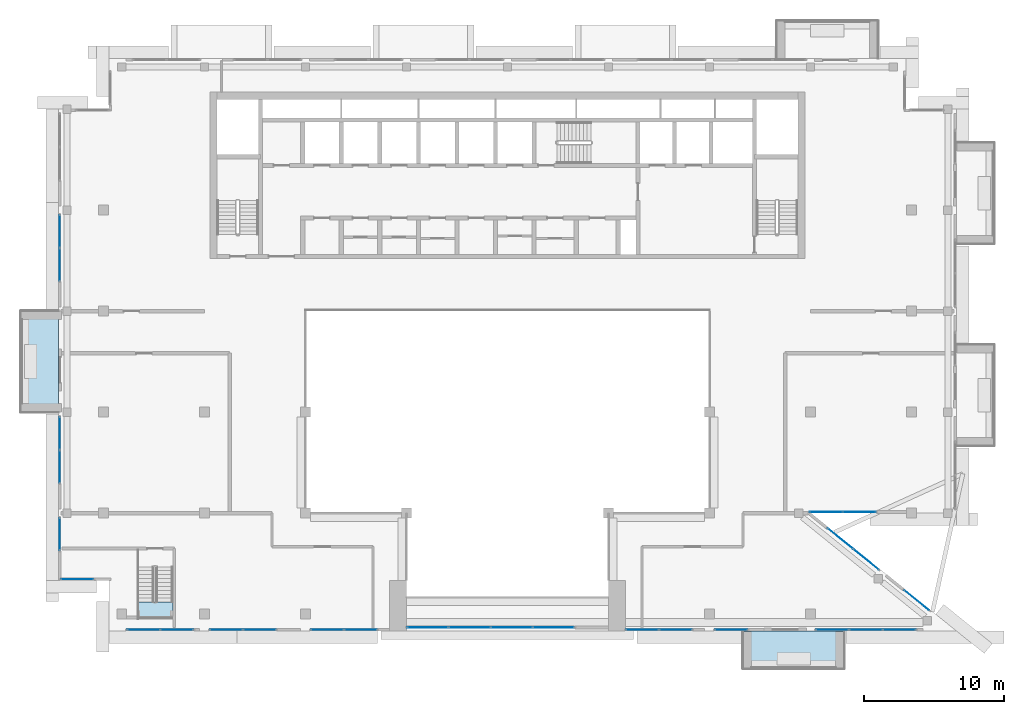
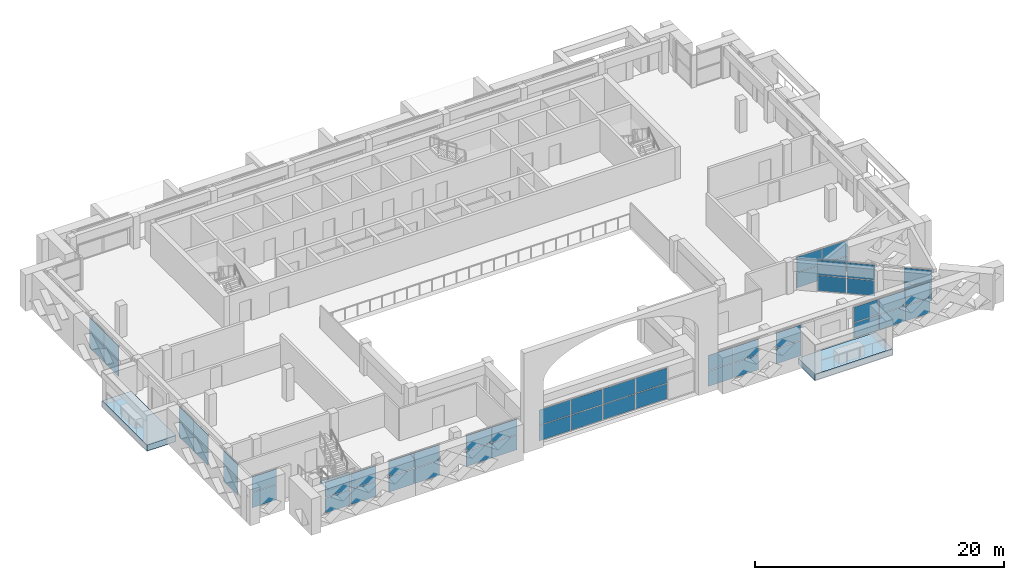
# One storey, part 10 of 22: 54 plates, 3 slabs, 15 elements without a shape of their own.
"""IFC4 building model written with IfcOpenShell, lengths in metres."""

from ifc_helpers import new_model, si_unit, direction, frame, origin, origin_2d, place, context, subcontext, project, spatial, polyline, rectangle, outline, extrude, source, transform, mapped, material, layer, layer_set, type_object, element, aggregate, save


model = new_model("IFC4")

# Units and contexts
model_context = context("Model", 3, precision=1e-05, world=origin(), true_north=direction((0.0, 1.0)))
body_context = subcontext(model_context, "Body", "Model", "MODEL_VIEW")
ifc_project = project(units=[si_unit("LENGTHUNIT", "METRE"), si_unit("AREAUNIT", "SQUARE_METRE"), si_unit("VOLUMEUNIT", "CUBIC_METRE"), si_unit("PLANEANGLEUNIT", "RADIAN"), si_unit("MASSUNIT", "GRAM", prefix="KILO")], contexts=[model_context])

# Site, building, storey
site_placement = place(None, origin())
site = spatial("IfcSite", under=ifc_project, at=site_placement, CompositionType="ELEMENT")
building_placement = place(site_placement, origin())
building = spatial("IfcBuilding", under=site, at=building_placement, Name="Saffron Iwan Residences", CompositionType="ELEMENT")
storey_placement = place(building_placement, frame((0.0, 0.0, 271.0)))
storey = spatial("IfcBuildingStorey", under=building, at=storey_placement, Name="L73", CompositionType="ELEMENT", Elevation=271.0)

# Slabs
ifc_material_1 = material(Name="Concrete C50/60 white painted", Category="concrete")
ifc_layer_1 = layer(ifc_material_1, 0.60009765625)
ifc_layer_set_1 = layer_set([ifc_layer_1], Name="Concrete C50/60 white painted")
slab_type_1 = type_object("IfcSlabType", Name="BALCONY FRAME SLAB 600", PredefinedType="FLOOR", material=ifc_layer_set_1)
slab_1_placement = place(storey_placement, frame((0.0, 0.0, -0.60009765625)))
element("IfcSlab", 1, at=slab_1_placement, inside=storey, type_object=slab_type_1, Name="Balcony frame slab L73 F8-0", PredefinedType="FLOOR", context=body_context, shape_type="SweptSolid", body=[
    extrude(outline(polyline([(15.699951171875, 62.39990234375), (15.699951171875, 55.199951171875), (18.39990234375, 55.199951171875), (18.39990234375, 62.39990234375), (15.699951171875, 62.39990234375)])), origin(), (0.0, 0.0, 1.0), 0.60009765625),
])
slab_2_placement = place(storey_placement, frame((0.0, 0.0, -0.60009765625)))
element("IfcSlab", 2, at=slab_2_placement, inside=storey, type_object=slab_type_1, Name="Balcony frame slab L73 11-1", PredefinedType="FLOOR", context=body_context, shape_type="SweptSolid", body=[
    extrude(outline(polyline([(67.199951171875, 36.89990234375), (74.39990234375, 36.89990234375), (74.39990234375, 39.60009765625), (67.199951171875, 39.60009765625), (67.199951171875, 36.89990234375)])), origin(), (0.0, 0.0, 1.0), 0.60009765625),
])

# Stair, slab
ifc_material_2 = material(Name="Concrete C40/50", Category="concrete")
stair_type = type_object("IfcStairType", Name="Podium stair, reinforced concrete", PredefinedType="HALF_TURN_STAIR", material=ifc_material_2)
stair_placement = place(storey_placement, origin())
stair = element("IfcStair", 3, at=stair_placement, inside=storey, type_object=stair_type, Name="L73 Crown Stair", PredefinedType="HALF_TURN_STAIR")
ifc_layer_2 = layer(ifc_material_2, 0.199951171875)
ifc_layer_set_2 = layer_set([ifc_layer_2], Name="Concrete C40/50")
slab_type_2 = type_object("IfcSlabType", Name="Podium stair landing, reinforced concrete", PredefinedType="LANDING", material=ifc_layer_set_2)
slab_3_placement = place(storey_placement, frame((0.0, 0.0, 1.5498046875)))
slab_3 = element("IfcSlab", 4, at=slab_3_placement, type_object=slab_type_2, Name="CS landing 1", PredefinedType="LANDING", context=body_context, shape_type="SweptSolid", body=[
    extrude(outline(polyline([(24.0, 41.64990234375), (24.0, 40.449951171875), (26.550048828125, 40.449951171875), (26.550048828125, 41.64990234375), (24.0, 41.64990234375)])), origin(), (0.0, 0.0, 1.0), 0.2001953125),
])
aggregate(stair, [slab_3])

# Curtain wall, plates
ifc_material_3 = material(Name="Clear glass, laminated double glazed", Category="glass")
ifc_layer_3 = layer(ifc_material_3, 0.199951171875)
ifc_layer_set_3 = layer_set([ifc_layer_3], Name="Clear glass, laminated double glazed")
curtain_wall_type_1 = type_object("IfcCurtainWallType", Name="CW-B IWAN PORTAL", PredefinedType="NOTDEFINED", material=ifc_layer_set_3)
curtain_wall_1_placement = place(storey_placement, origin())
curtain_wall_1 = element("IfcCurtainWall", 5, at=curtain_wall_1_placement, inside=storey, type_object=curtain_wall_type_1, Name="Iwan portal glazing L73.1", PredefinedType="NOTDEFINED")
ifc_layer_4 = layer(ifc_material_3, 0.028076171875)
ifc_layer_set_4 = layer_set([ifc_layer_4], Name="Clear glass, laminated double glazed")
plate_type_1 = type_object("IfcPlateType", Name="CW-B PANEL 28", PredefinedType="CURTAIN_PANEL", material=ifc_layer_set_4)
shared_shape_1 = source(origin(), body_context, "Body", "SweptSolid", [
    extrude(rectangle(XDim=2.909912109375, YDim=0.028076171875, at=origin_2d()), origin(), (0.0, 0.0, 1.0), 1.485107421875),
])
plate_1_placement = place(storey_placement, frame((44.715087890625, 39.85009765625, 0.06005859375), z_axis=(0.0, 0.0, 1.0), x_axis=(1.0, 0.0, 0.0)))
plate_1 = element("IfcPlate", 6, at=plate_1_placement, type_object=plate_type_1, Name="CW-B panel 1.1", PredefinedType="CURTAIN_PANEL", context=body_context, shape_type="MappedRepresentation", body=[
    mapped(shared_shape_1, transform((0.0, 0.0, 0.0))),
])
plate_2_placement = place(storey_placement, frame((44.715087890625, 39.85009765625, 1.60498046875), z_axis=(0.0, 0.0, 1.0), x_axis=(1.0, 0.0, 0.0)))
plate_2 = element("IfcPlate", 7, at=plate_2_placement, type_object=plate_type_1, Name="CW-B panel 1.2", PredefinedType="CURTAIN_PANEL", context=body_context, shape_type="MappedRepresentation", body=[
    mapped(shared_shape_1, transform((0.0, 0.0, 0.0))),
])
plate_3_placement = place(storey_placement, frame((53.68505859375, 39.85009765625, 0.06005859375), z_axis=(0.0, 0.0, 1.0), x_axis=(1.0, 0.0, 0.0)))
plate_3 = element("IfcPlate", 8, at=plate_3_placement, type_object=plate_type_1, Name="CW-B panel 4.1", PredefinedType="CURTAIN_PANEL", context=body_context, shape_type="MappedRepresentation", body=[
    mapped(shared_shape_1, transform((0.0, 0.0, 0.0))),
])
plate_4_placement = place(storey_placement, frame((53.68505859375, 39.85009765625, 1.60498046875), z_axis=(0.0, 0.0, 1.0), x_axis=(1.0, 0.0, 0.0)))
plate_4 = element("IfcPlate", 9, at=plate_4_placement, type_object=plate_type_1, Name="CW-B panel 4.2", PredefinedType="CURTAIN_PANEL", context=body_context, shape_type="MappedRepresentation", body=[
    mapped(shared_shape_1, transform((0.0, 0.0, 0.0))),
])
shared_shape_2 = source(origin(), body_context, "Body", "SweptSolid", [
    extrude(rectangle(XDim=2.93994140625, YDim=0.028076171875, at=origin_2d()), origin(), (0.0, 0.0, 1.0), 1.485107421875),
])
plate_5_placement = place(storey_placement, frame((47.699951171875, 39.85009765625, 0.06005859375), z_axis=(0.0, 0.0, 1.0), x_axis=(1.0, 0.0, 0.0)))
plate_5 = element("IfcPlate", 10, at=plate_5_placement, type_object=plate_type_1, Name="CW-B panel 2.1", PredefinedType="CURTAIN_PANEL", context=body_context, shape_type="MappedRepresentation", body=[
    mapped(shared_shape_2, transform((0.0, 0.0, 0.0))),
])
plate_6_placement = place(storey_placement, frame((47.699951171875, 39.85009765625, 1.60498046875), z_axis=(0.0, 0.0, 1.0), x_axis=(1.0, 0.0, 0.0)))
plate_6 = element("IfcPlate", 11, at=plate_6_placement, type_object=plate_type_1, Name="CW-B panel 2.2", PredefinedType="CURTAIN_PANEL", context=body_context, shape_type="MappedRepresentation", body=[
    mapped(shared_shape_2, transform((0.0, 0.0, 0.0))),
])
plate_7_placement = place(storey_placement, frame((50.699951171875, 39.85009765625, 0.06005859375), z_axis=(0.0, 0.0, 1.0), x_axis=(1.0, 0.0, 0.0)))
plate_7 = element("IfcPlate", 12, at=plate_7_placement, type_object=plate_type_1, Name="CW-B panel 3.1", PredefinedType="CURTAIN_PANEL", context=body_context, shape_type="MappedRepresentation", body=[
    mapped(shared_shape_2, transform((0.0, 0.0, 0.0))),
])
plate_8_placement = place(storey_placement, frame((50.699951171875, 39.85009765625, 1.60498046875), z_axis=(0.0, 0.0, 1.0), x_axis=(1.0, 0.0, 0.0)))
plate_8 = element("IfcPlate", 13, at=plate_8_placement, type_object=plate_type_1, Name="CW-B panel 3.2", PredefinedType="CURTAIN_PANEL", context=body_context, shape_type="MappedRepresentation", body=[
    mapped(shared_shape_2, transform((0.0, 0.0, 0.0))),
])
aggregate(curtain_wall_1, [plate_1, plate_2, plate_5, plate_6, plate_7, plate_8, plate_3, plate_4])

ifc_layer_5 = layer(ifc_material_3, 0.14990234375)
ifc_layer_set_5 = layer_set([ifc_layer_5], Name="Clear glass, laminated double glazed")
curtain_wall_type_2 = type_object("IfcCurtainWallType", Name="CW-E SKY CLUB GLAZING", PredefinedType="NOTDEFINED", material=ifc_layer_set_5)
curtain_wall_2_placement = place(storey_placement, origin())
curtain_wall_2 = element("IfcCurtainWall", 14, at=curtain_wall_2_placement, inside=storey, type_object=curtain_wall_type_2, Name="Glazing L73 F0.1", PredefinedType="NOTDEFINED")
ifc_layer_6 = layer(ifc_material_3, 0.028076171875)
ifc_layer_set_6 = layer_set([ifc_layer_6], Name="Clear glass, laminated double glazed")
plate_type_2 = type_object("IfcPlateType", Name="CW-E PANEL 28", PredefinedType="CURTAIN_PANEL", material=ifc_layer_set_6)
shared_shape_3 = source(origin(), body_context, "Body", "SweptSolid", [
    extrude(rectangle(XDim=2.280029296875, YDim=0.028076171875, at=origin_2d()), origin(), (0.0, 0.0, 1.0), 1.485107421875),
])
plate_9_placement = place(storey_placement, frame((79.569091796875, 41.78369140625, 0.06005859375), z_axis=(0.0, 0.0, 1.0), x_axis=(-0.777941180125, 0.628337107185, 0.0)))
plate_9 = element("IfcPlate", 15, at=plate_9_placement, type_object=plate_type_2, Name="CW-E panel 1.1", PredefinedType="CURTAIN_PANEL", context=body_context, shape_type="MappedRepresentation", body=[
    mapped(shared_shape_3, transform((0.0, 0.0, 0.0))),
])
plate_10_placement = place(storey_placement, frame((79.569091796875, 41.78369140625, 1.60498046875), z_axis=(0.0, 0.0, 1.0), x_axis=(-0.777941180125, 0.628337107185, 0.0)))
plate_10 = element("IfcPlate", 16, at=plate_10_placement, type_object=plate_type_2, Name="CW-E panel 1.2", PredefinedType="CURTAIN_PANEL", context=body_context, shape_type="MappedRepresentation", body=[
    mapped(shared_shape_3, transform((0.0, 0.0, 0.0))),
])
aggregate(curtain_wall_2, [plate_9, plate_10])

curtain_wall_3_placement = place(storey_placement, origin())
curtain_wall_3 = element("IfcCurtainWall", 17, at=curtain_wall_3_placement, inside=storey, type_object=curtain_wall_type_2, Name="Glazing L73 F8.4", PredefinedType="NOTDEFINED")
plate_11_placement = place(storey_placement, frame((18.47998046875, 46.5, 0.06005859375), z_axis=(0.0, 0.0, 1.0), x_axis=(0.0, -1.0, 0.0)))
plate_11 = element("IfcPlate", 18, at=plate_11_placement, type_object=plate_type_2, Name="CW-E panel 1.1", PredefinedType="CURTAIN_PANEL", context=body_context, shape_type="MappedRepresentation", body=[
    mapped(shared_shape_3, transform((0.0, 0.0, 0.0))),
])
plate_12_placement = place(storey_placement, frame((18.47998046875, 46.5, 1.60498046875), z_axis=(0.0, 0.0, 1.0), x_axis=(0.0, -1.0, 0.0)))
plate_12 = element("IfcPlate", 19, at=plate_12_placement, type_object=plate_type_2, Name="CW-E panel 1.2", PredefinedType="CURTAIN_PANEL", context=body_context, shape_type="MappedRepresentation", body=[
    mapped(shared_shape_3, transform((0.0, 0.0, 0.0))),
])
aggregate(curtain_wall_3, [plate_11, plate_12])

curtain_wall_4_placement = place(storey_placement, origin())
curtain_wall_4 = element("IfcCurtainWall", 20, at=curtain_wall_4_placement, inside=storey, type_object=curtain_wall_type_2, Name="Glazing L73 F9.0", PredefinedType="NOTDEFINED")
plate_13_placement = place(storey_placement, frame((19.72998046875, 43.280029296875, 0.06005859375), z_axis=(0.0, 0.0, 1.0), x_axis=(1.0, 0.0, 0.0)))
plate_13 = element("IfcPlate", 21, at=plate_13_placement, type_object=plate_type_2, Name="CW-E panel 1.1", PredefinedType="CURTAIN_PANEL", context=body_context, shape_type="MappedRepresentation", body=[
    mapped(shared_shape_3, transform((0.0, 0.0, 0.0))),
])
plate_14_placement = place(storey_placement, frame((19.72998046875, 43.280029296875, 1.60498046875), z_axis=(0.0, 0.0, 1.0), x_axis=(1.0, 0.0, 0.0)))
plate_14 = element("IfcPlate", 22, at=plate_14_placement, type_object=plate_type_2, Name="CW-E panel 1.2", PredefinedType="CURTAIN_PANEL", context=body_context, shape_type="MappedRepresentation", body=[
    mapped(shared_shape_3, transform((0.0, 0.0, 0.0))),
])
aggregate(curtain_wall_4, [plate_13, plate_14])

curtain_wall_5_placement = place(storey_placement, origin())
curtain_wall_5 = element("IfcCurtainWall", 23, at=curtain_wall_5_placement, inside=storey, type_object=curtain_wall_type_2, Name="Glazing L73 F11.4", PredefinedType="NOTDEFINED")
plate_15_placement = place(storey_placement, frame((66.35009765625, 39.679931640625, 0.06005859375), z_axis=(0.0, 0.0, 1.0), x_axis=(1.0, 0.0, 0.0)))
plate_15 = element("IfcPlate", 24, at=plate_15_placement, type_object=plate_type_2, Name="CW-E panel 1.1", PredefinedType="CURTAIN_PANEL", context=body_context, shape_type="MappedRepresentation", body=[
    mapped(shared_shape_3, transform((0.0, 0.0, 0.0))),
])
plate_16_placement = place(storey_placement, frame((66.35009765625, 39.679931640625, 1.60498046875), z_axis=(0.0, 0.0, 1.0), x_axis=(1.0, 0.0, 0.0)))
plate_16 = element("IfcPlate", 25, at=plate_16_placement, type_object=plate_type_2, Name="CW-E panel 1.2", PredefinedType="CURTAIN_PANEL", context=body_context, shape_type="MappedRepresentation", body=[
    mapped(shared_shape_3, transform((0.0, 0.0, 0.0))),
])
aggregate(curtain_wall_5, [plate_15, plate_16])

curtain_wall_6_placement = place(storey_placement, origin())
curtain_wall_6 = element("IfcCurtainWall", 26, at=curtain_wall_6_placement, inside=storey, type_object=curtain_wall_type_2, Name="Glazing L73 F0.2", PredefinedType="NOTDEFINED")
shared_shape_4 = source(origin(), body_context, "Body", "SweptSolid", [
    extrude(rectangle(XDim=2.31005859375, YDim=0.028076171875, at=origin_2d()), origin(), (0.0, 0.0, 1.0), 1.485107421875),
])
plate_17_placement = place(storey_placement, frame((75.97119140625, 44.689697265625, 0.06005859375), z_axis=(0.0, 0.0, 1.0), x_axis=(-0.777941180212, 0.628337107077, 0.0)))
plate_17 = element("IfcPlate", 27, at=plate_17_placement, type_object=plate_type_2, Name="CW-E panel 1.1", PredefinedType="CURTAIN_PANEL", context=body_context, shape_type="MappedRepresentation", body=[
    mapped(shared_shape_4, transform((0.0, 0.0, 0.0))),
])
plate_18_placement = place(storey_placement, frame((75.97119140625, 44.689697265625, 1.60498046875), z_axis=(0.0, 0.0, 1.0), x_axis=(-0.777941180212, 0.628337107077, 0.0)))
plate_18 = element("IfcPlate", 28, at=plate_18_placement, type_object=plate_type_2, Name="CW-E panel 1.2", PredefinedType="CURTAIN_PANEL", context=body_context, shape_type="MappedRepresentation", body=[
    mapped(shared_shape_4, transform((0.0, 0.0, 0.0))),
])
plate_19_placement = place(storey_placement, frame((74.12744140625, 46.178955078125, 0.06005859375), z_axis=(0.0, 0.0, 1.0), x_axis=(-0.777941180212, 0.628337107077, 0.0)))
plate_19 = element("IfcPlate", 29, at=plate_19_placement, type_object=plate_type_2, Name="CW-E panel 2.1", PredefinedType="CURTAIN_PANEL", context=body_context, shape_type="MappedRepresentation", body=[
    mapped(shared_shape_4, transform((0.0, 0.0, 0.0))),
])
plate_20_placement = place(storey_placement, frame((74.12744140625, 46.178955078125, 1.60498046875), z_axis=(0.0, 0.0, 1.0), x_axis=(-0.777941180212, 0.628337107077, 0.0)))
plate_20 = element("IfcPlate", 30, at=plate_20_placement, type_object=plate_type_2, Name="CW-E panel 2.2", PredefinedType="CURTAIN_PANEL", context=body_context, shape_type="MappedRepresentation", body=[
    mapped(shared_shape_4, transform((0.0, 0.0, 0.0))),
])
aggregate(curtain_wall_6, [plate_17, plate_18, plate_19, plate_20])

curtain_wall_7_placement = place(storey_placement, origin())
curtain_wall_7 = element("IfcCurtainWall", 31, at=curtain_wall_7_placement, inside=storey, type_object=curtain_wall_type_2, Name="Glazing L73 F1.0", PredefinedType="NOTDEFINED")
plate_21_placement = place(storey_placement, frame((73.11865234375, 48.080078125, 0.06005859375), z_axis=(0.0, 0.0, 1.0), x_axis=(1.0, 0.0, 0.0)))
plate_21 = element("IfcPlate", 32, at=plate_21_placement, type_object=plate_type_2, Name="CW-E panel 1.1", PredefinedType="CURTAIN_PANEL", context=body_context, shape_type="MappedRepresentation", body=[
    mapped(shared_shape_4, transform((0.0, 0.0, 0.0))),
])
plate_22_placement = place(storey_placement, frame((73.11865234375, 48.080078125, 1.60498046875), z_axis=(0.0, 0.0, 1.0), x_axis=(1.0, 0.0, 0.0)))
plate_22 = element("IfcPlate", 33, at=plate_22_placement, type_object=plate_type_2, Name="CW-E panel 1.2", PredefinedType="CURTAIN_PANEL", context=body_context, shape_type="MappedRepresentation", body=[
    mapped(shared_shape_4, transform((0.0, 0.0, 0.0))),
])
plate_23_placement = place(storey_placement, frame((75.488525390625, 48.080078125, 0.06005859375), z_axis=(0.0, 0.0, 1.0), x_axis=(1.0, 0.0, 0.0)))
plate_23 = element("IfcPlate", 34, at=plate_23_placement, type_object=plate_type_2, Name="CW-E panel 2.1", PredefinedType="CURTAIN_PANEL", context=body_context, shape_type="MappedRepresentation", body=[
    mapped(shared_shape_4, transform((0.0, 0.0, 0.0))),
])
plate_24_placement = place(storey_placement, frame((75.488525390625, 48.080078125, 1.60498046875), z_axis=(0.0, 0.0, 1.0), x_axis=(1.0, 0.0, 0.0)))
plate_24 = element("IfcPlate", 35, at=plate_24_placement, type_object=plate_type_2, Name="CW-E panel 2.2", PredefinedType="CURTAIN_PANEL", context=body_context, shape_type="MappedRepresentation", body=[
    mapped(shared_shape_4, transform((0.0, 0.0, 0.0))),
])
aggregate(curtain_wall_7, [plate_21, plate_22, plate_23, plate_24])

curtain_wall_8_placement = place(storey_placement, origin())
curtain_wall_8 = element("IfcCurtainWall", 36, at=curtain_wall_8_placement, inside=storey, type_object=curtain_wall_type_2, Name="Glazing L73 F8.1", PredefinedType="NOTDEFINED")
plate_25_placement = place(storey_placement, frame((18.47998046875, 68.0849609375, 0.06005859375), z_axis=(0.0, 0.0, 1.0), x_axis=(0.0, -1.0, 0.0)))
plate_25 = element("IfcPlate", 37, at=plate_25_placement, type_object=plate_type_2, Name="CW-E panel 1.1", PredefinedType="CURTAIN_PANEL", context=body_context, shape_type="MappedRepresentation", body=[
    mapped(shared_shape_4, transform((0.0, 0.0, 0.0))),
])
plate_26_placement = place(storey_placement, frame((18.47998046875, 68.0849609375, 1.60498046875), z_axis=(0.0, 0.0, 1.0), x_axis=(0.0, -1.0, 0.0)))
plate_26 = element("IfcPlate", 38, at=plate_26_placement, type_object=plate_type_2, Name="CW-E panel 1.2", PredefinedType="CURTAIN_PANEL", context=body_context, shape_type="MappedRepresentation", body=[
    mapped(shared_shape_4, transform((0.0, 0.0, 0.0))),
])
plate_27_placement = place(storey_placement, frame((18.47998046875, 65.715087890625, 0.06005859375), z_axis=(0.0, 0.0, 1.0), x_axis=(0.0, -1.0, 0.0)))
plate_27 = element("IfcPlate", 39, at=plate_27_placement, type_object=plate_type_2, Name="CW-E panel 2.1", PredefinedType="CURTAIN_PANEL", context=body_context, shape_type="MappedRepresentation", body=[
    mapped(shared_shape_4, transform((0.0, 0.0, 0.0))),
])
plate_28_placement = place(storey_placement, frame((18.47998046875, 65.715087890625, 1.60498046875), z_axis=(0.0, 0.0, 1.0), x_axis=(0.0, -1.0, 0.0)))
plate_28 = element("IfcPlate", 40, at=plate_28_placement, type_object=plate_type_2, Name="CW-E panel 2.2", PredefinedType="CURTAIN_PANEL", context=body_context, shape_type="MappedRepresentation", body=[
    mapped(shared_shape_4, transform((0.0, 0.0, 0.0))),
])
aggregate(curtain_wall_8, [plate_25, plate_26, plate_27, plate_28])

curtain_wall_9_placement = place(storey_placement, origin())
curtain_wall_9 = element("IfcCurtainWall", 41, at=curtain_wall_9_placement, inside=storey, type_object=curtain_wall_type_2, Name="Glazing L73 F8.3", PredefinedType="NOTDEFINED")
plate_29_placement = place(storey_placement, frame((18.47998046875, 53.68505859375, 0.06005859375), z_axis=(0.0, 0.0, 1.0), x_axis=(0.0, -1.0, 0.0)))
plate_29 = element("IfcPlate", 42, at=plate_29_placement, type_object=plate_type_2, Name="CW-E panel 1.1", PredefinedType="CURTAIN_PANEL", context=body_context, shape_type="MappedRepresentation", body=[
    mapped(shared_shape_4, transform((0.0, 0.0, 0.0))),
])
plate_30_placement = place(storey_placement, frame((18.47998046875, 53.68505859375, 1.60498046875), z_axis=(0.0, 0.0, 1.0), x_axis=(0.0, -1.0, 0.0)))
plate_30 = element("IfcPlate", 43, at=plate_30_placement, type_object=plate_type_2, Name="CW-E panel 1.2", PredefinedType="CURTAIN_PANEL", context=body_context, shape_type="MappedRepresentation", body=[
    mapped(shared_shape_4, transform((0.0, 0.0, 0.0))),
])
plate_31_placement = place(storey_placement, frame((18.47998046875, 51.31494140625, 0.06005859375), z_axis=(0.0, 0.0, 1.0), x_axis=(0.0, -1.0, 0.0)))
plate_31 = element("IfcPlate", 44, at=plate_31_placement, type_object=plate_type_2, Name="CW-E panel 2.1", PredefinedType="CURTAIN_PANEL", context=body_context, shape_type="MappedRepresentation", body=[
    mapped(shared_shape_4, transform((0.0, 0.0, 0.0))),
])
plate_32_placement = place(storey_placement, frame((18.47998046875, 51.31494140625, 1.60498046875), z_axis=(0.0, 0.0, 1.0), x_axis=(0.0, -1.0, 0.0)))
plate_32 = element("IfcPlate", 45, at=plate_32_placement, type_object=plate_type_2, Name="CW-E panel 2.2", PredefinedType="CURTAIN_PANEL", context=body_context, shape_type="MappedRepresentation", body=[
    mapped(shared_shape_4, transform((0.0, 0.0, 0.0))),
])
aggregate(curtain_wall_9, [plate_29, plate_30, plate_31, plate_32])

curtain_wall_10_placement = place(storey_placement, origin())
curtain_wall_10 = element("IfcCurtainWall", 46, at=curtain_wall_10_placement, inside=storey, type_object=curtain_wall_type_2, Name="Glazing L73 F11.0", PredefinedType="NOTDEFINED")
plate_33_placement = place(storey_placement, frame((24.465087890625, 39.679931640625, 0.06005859375), z_axis=(0.0, 0.0, 1.0), x_axis=(1.0, 0.0, 0.0)))
plate_33 = element("IfcPlate", 47, at=plate_33_placement, type_object=plate_type_2, Name="CW-E panel 1.1", PredefinedType="CURTAIN_PANEL", context=body_context, shape_type="MappedRepresentation", body=[
    mapped(shared_shape_4, transform((0.0, 0.0, 0.0))),
])
plate_34_placement = place(storey_placement, frame((24.465087890625, 39.679931640625, 1.60498046875), z_axis=(0.0, 0.0, 1.0), x_axis=(1.0, 0.0, 0.0)))
plate_34 = element("IfcPlate", 48, at=plate_34_placement, type_object=plate_type_2, Name="CW-E panel 1.2", PredefinedType="CURTAIN_PANEL", context=body_context, shape_type="MappedRepresentation", body=[
    mapped(shared_shape_4, transform((0.0, 0.0, 0.0))),
])
plate_35_placement = place(storey_placement, frame((26.8349609375, 39.679931640625, 0.06005859375), z_axis=(0.0, 0.0, 1.0), x_axis=(1.0, 0.0, 0.0)))
plate_35 = element("IfcPlate", 49, at=plate_35_placement, type_object=plate_type_2, Name="CW-E panel 2.1", PredefinedType="CURTAIN_PANEL", context=body_context, shape_type="MappedRepresentation", body=[
    mapped(shared_shape_4, transform((0.0, 0.0, 0.0))),
])
plate_36_placement = place(storey_placement, frame((26.8349609375, 39.679931640625, 1.60498046875), z_axis=(0.0, 0.0, 1.0), x_axis=(1.0, 0.0, 0.0)))
plate_36 = element("IfcPlate", 50, at=plate_36_placement, type_object=plate_type_2, Name="CW-E panel 2.2", PredefinedType="CURTAIN_PANEL", context=body_context, shape_type="MappedRepresentation", body=[
    mapped(shared_shape_4, transform((0.0, 0.0, 0.0))),
])
aggregate(curtain_wall_10, [plate_33, plate_34, plate_35, plate_36])

curtain_wall_11_placement = place(storey_placement, origin())
curtain_wall_11 = element("IfcCurtainWall", 51, at=curtain_wall_11_placement, inside=storey, type_object=curtain_wall_type_2, Name="Glazing L73 F11.1", PredefinedType="NOTDEFINED")
plate_37_placement = place(storey_placement, frame((30.364990234375, 39.679931640625, 0.06005859375), z_axis=(0.0, 0.0, 1.0), x_axis=(1.0, 0.0, 0.0)))
plate_37 = element("IfcPlate", 52, at=plate_37_placement, type_object=plate_type_2, Name="CW-E panel 1.1", PredefinedType="CURTAIN_PANEL", context=body_context, shape_type="MappedRepresentation", body=[
    mapped(shared_shape_4, transform((0.0, 0.0, 0.0))),
])
plate_38_placement = place(storey_placement, frame((30.364990234375, 39.679931640625, 1.60498046875), z_axis=(0.0, 0.0, 1.0), x_axis=(1.0, 0.0, 0.0)))
plate_38 = element("IfcPlate", 53, at=plate_38_placement, type_object=plate_type_2, Name="CW-E panel 1.2", PredefinedType="CURTAIN_PANEL", context=body_context, shape_type="MappedRepresentation", body=[
    mapped(shared_shape_4, transform((0.0, 0.0, 0.0))),
])
plate_39_placement = place(storey_placement, frame((32.735107421875, 39.679931640625, 0.06005859375), z_axis=(0.0, 0.0, 1.0), x_axis=(1.0, 0.0, 0.0)))
plate_39 = element("IfcPlate", 54, at=plate_39_placement, type_object=plate_type_2, Name="CW-E panel 2.1", PredefinedType="CURTAIN_PANEL", context=body_context, shape_type="MappedRepresentation", body=[
    mapped(shared_shape_4, transform((0.0, 0.0, 0.0))),
])
plate_40_placement = place(storey_placement, frame((32.735107421875, 39.679931640625, 1.60498046875), z_axis=(0.0, 0.0, 1.0), x_axis=(1.0, 0.0, 0.0)))
plate_40 = element("IfcPlate", 55, at=plate_40_placement, type_object=plate_type_2, Name="CW-E panel 2.2", PredefinedType="CURTAIN_PANEL", context=body_context, shape_type="MappedRepresentation", body=[
    mapped(shared_shape_4, transform((0.0, 0.0, 0.0))),
])
aggregate(curtain_wall_11, [plate_37, plate_38, plate_39, plate_40])

curtain_wall_12_placement = place(storey_placement, origin())
curtain_wall_12 = element("IfcCurtainWall", 56, at=curtain_wall_12_placement, inside=storey, type_object=curtain_wall_type_2, Name="Glazing L73 F11.2", PredefinedType="NOTDEFINED")
plate_41_placement = place(storey_placement, frame((37.56494140625, 39.679931640625, 0.06005859375), z_axis=(0.0, 0.0, 1.0), x_axis=(1.0, 0.0, 0.0)))
plate_41 = element("IfcPlate", 57, at=plate_41_placement, type_object=plate_type_2, Name="CW-E panel 1.1", PredefinedType="CURTAIN_PANEL", context=body_context, shape_type="MappedRepresentation", body=[
    mapped(shared_shape_4, transform((0.0, 0.0, 0.0))),
])
plate_42_placement = place(storey_placement, frame((37.56494140625, 39.679931640625, 1.60498046875), z_axis=(0.0, 0.0, 1.0), x_axis=(1.0, 0.0, 0.0)))
plate_42 = element("IfcPlate", 58, at=plate_42_placement, type_object=plate_type_2, Name="CW-E panel 1.2", PredefinedType="CURTAIN_PANEL", context=body_context, shape_type="MappedRepresentation", body=[
    mapped(shared_shape_4, transform((0.0, 0.0, 0.0))),
])
plate_43_placement = place(storey_placement, frame((39.93505859375, 39.679931640625, 0.06005859375), z_axis=(0.0, 0.0, 1.0), x_axis=(1.0, 0.0, 0.0)))
plate_43 = element("IfcPlate", 59, at=plate_43_placement, type_object=plate_type_2, Name="CW-E panel 2.1", PredefinedType="CURTAIN_PANEL", context=body_context, shape_type="MappedRepresentation", body=[
    mapped(shared_shape_4, transform((0.0, 0.0, 0.0))),
])
plate_44_placement = place(storey_placement, frame((39.93505859375, 39.679931640625, 1.60498046875), z_axis=(0.0, 0.0, 1.0), x_axis=(1.0, 0.0, 0.0)))
plate_44 = element("IfcPlate", 60, at=plate_44_placement, type_object=plate_type_2, Name="CW-E panel 2.2", PredefinedType="CURTAIN_PANEL", context=body_context, shape_type="MappedRepresentation", body=[
    mapped(shared_shape_4, transform((0.0, 0.0, 0.0))),
])
aggregate(curtain_wall_12, [plate_41, plate_42, plate_43, plate_44])

curtain_wall_13_placement = place(storey_placement, origin())
curtain_wall_13 = element("IfcCurtainWall", 61, at=curtain_wall_13_placement, inside=storey, type_object=curtain_wall_type_2, Name="Glazing L73 F11.3", PredefinedType="NOTDEFINED")
plate_45_placement = place(storey_placement, frame((60.014892578125, 39.679931640625, 0.06005859375), z_axis=(0.0, 0.0, 1.0), x_axis=(1.0, 0.0, 0.0)))
plate_45 = element("IfcPlate", 62, at=plate_45_placement, type_object=plate_type_2, Name="CW-E panel 1.1", PredefinedType="CURTAIN_PANEL", context=body_context, shape_type="MappedRepresentation", body=[
    mapped(shared_shape_4, transform((0.0, 0.0, 0.0))),
])
plate_46_placement = place(storey_placement, frame((60.014892578125, 39.679931640625, 1.60498046875), z_axis=(0.0, 0.0, 1.0), x_axis=(1.0, 0.0, 0.0)))
plate_46 = element("IfcPlate", 63, at=plate_46_placement, type_object=plate_type_2, Name="CW-E panel 1.2", PredefinedType="CURTAIN_PANEL", context=body_context, shape_type="MappedRepresentation", body=[
    mapped(shared_shape_4, transform((0.0, 0.0, 0.0))),
])
plate_47_placement = place(storey_placement, frame((62.385009765625, 39.679931640625, 0.06005859375), z_axis=(0.0, 0.0, 1.0), x_axis=(1.0, 0.0, 0.0)))
plate_47 = element("IfcPlate", 64, at=plate_47_placement, type_object=plate_type_2, Name="CW-E panel 2.1", PredefinedType="CURTAIN_PANEL", context=body_context, shape_type="MappedRepresentation", body=[
    mapped(shared_shape_4, transform((0.0, 0.0, 0.0))),
])
plate_48_placement = place(storey_placement, frame((62.385009765625, 39.679931640625, 1.60498046875), z_axis=(0.0, 0.0, 1.0), x_axis=(1.0, 0.0, 0.0)))
plate_48 = element("IfcPlate", 65, at=plate_48_placement, type_object=plate_type_2, Name="CW-E panel 2.2", PredefinedType="CURTAIN_PANEL", context=body_context, shape_type="MappedRepresentation", body=[
    mapped(shared_shape_4, transform((0.0, 0.0, 0.0))),
])
aggregate(curtain_wall_13, [plate_45, plate_46, plate_47, plate_48])

curtain_wall_14_placement = place(storey_placement, origin())
curtain_wall_14 = element("IfcCurtainWall", 66, at=curtain_wall_14_placement, inside=storey, type_object=curtain_wall_type_2, Name="Glazing L73 F11.5", PredefinedType="NOTDEFINED")
plate_49_placement = place(storey_placement, frame((73.56494140625, 39.679931640625, 0.06005859375), z_axis=(0.0, 0.0, 1.0), x_axis=(1.0, 0.0, 0.0)))
plate_49 = element("IfcPlate", 67, at=plate_49_placement, type_object=plate_type_2, Name="CW-E panel 1.1", PredefinedType="CURTAIN_PANEL", context=body_context, shape_type="MappedRepresentation", body=[
    mapped(shared_shape_4, transform((0.0, 0.0, 0.0))),
])
plate_50_placement = place(storey_placement, frame((73.56494140625, 39.679931640625, 1.60498046875), z_axis=(0.0, 0.0, 1.0), x_axis=(1.0, 0.0, 0.0)))
plate_50 = element("IfcPlate", 68, at=plate_50_placement, type_object=plate_type_2, Name="CW-E panel 1.2", PredefinedType="CURTAIN_PANEL", context=body_context, shape_type="MappedRepresentation", body=[
    mapped(shared_shape_4, transform((0.0, 0.0, 0.0))),
])
plate_51_placement = place(storey_placement, frame((78.3349609375, 39.679931640625, 0.06005859375), z_axis=(0.0, 0.0, 1.0), x_axis=(1.0, 0.0, 0.0)))
plate_51 = element("IfcPlate", 69, at=plate_51_placement, type_object=plate_type_2, Name="CW-E panel 3.1", PredefinedType="CURTAIN_PANEL", context=body_context, shape_type="MappedRepresentation", body=[
    mapped(shared_shape_4, transform((0.0, 0.0, 0.0))),
])
plate_52_placement = place(storey_placement, frame((78.3349609375, 39.679931640625, 1.60498046875), z_axis=(0.0, 0.0, 1.0), x_axis=(1.0, 0.0, 0.0)))
plate_52 = element("IfcPlate", 70, at=plate_52_placement, type_object=plate_type_2, Name="CW-E panel 3.2", PredefinedType="CURTAIN_PANEL", context=body_context, shape_type="MappedRepresentation", body=[
    mapped(shared_shape_4, transform((0.0, 0.0, 0.0))),
])
shared_shape_5 = source(origin(), body_context, "Body", "SweptSolid", [
    extrude(rectangle(XDim=2.340087890625, YDim=0.028076171875, at=origin_2d()), origin(), (0.0, 0.0, 1.0), 1.485107421875),
])
plate_53_placement = place(storey_placement, frame((75.949951171875, 39.679931640625, 0.06005859375), z_axis=(0.0, 0.0, 1.0), x_axis=(1.0, 0.0, 0.0)))
plate_53 = element("IfcPlate", 71, at=plate_53_placement, type_object=plate_type_2, Name="CW-E panel 2.1", PredefinedType="CURTAIN_PANEL", context=body_context, shape_type="MappedRepresentation", body=[
    mapped(shared_shape_5, transform((0.0, 0.0, 0.0))),
])
plate_54_placement = place(storey_placement, frame((75.949951171875, 39.679931640625, 1.60498046875), z_axis=(0.0, 0.0, 1.0), x_axis=(1.0, 0.0, 0.0)))
plate_54 = element("IfcPlate", 72, at=plate_54_placement, type_object=plate_type_2, Name="CW-E panel 2.2", PredefinedType="CURTAIN_PANEL", context=body_context, shape_type="MappedRepresentation", body=[
    mapped(shared_shape_5, transform((0.0, 0.0, 0.0))),
])
aggregate(curtain_wall_14, [plate_49, plate_50, plate_53, plate_54, plate_51, plate_52])

save(model, "model.ifc")
